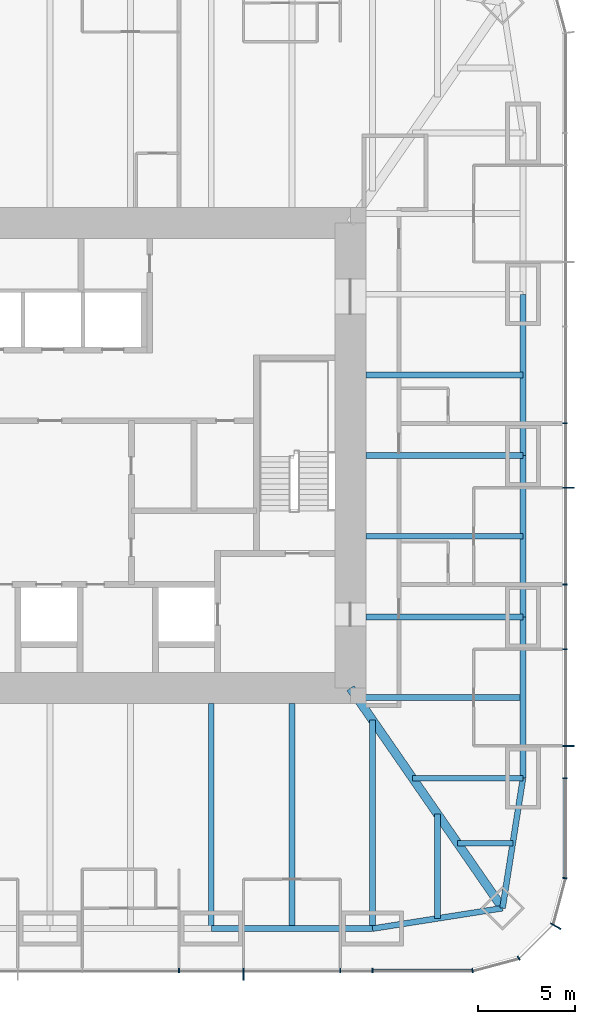
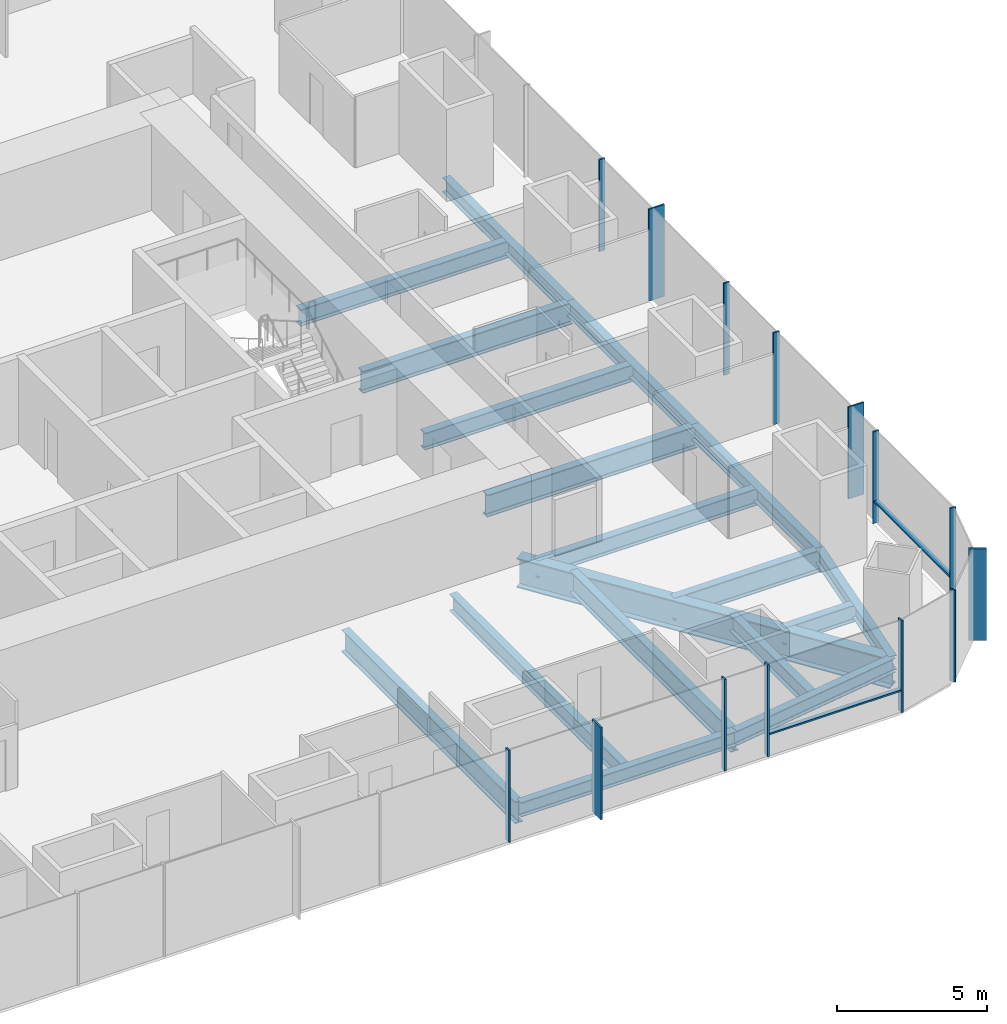
# One storey, part 4 of 12: 18 beams, 16 members, 3 elements without a shape of their own.
"""IFC4 building model written with IfcOpenShell, lengths in metres."""

from ifc_helpers import new_model, si_unit, direction, frame, origin, origin_2d, place, context, subcontext, project, spatial, rectangle, i_section, extrude, material, material_profile, profile_set, type_object, element, aggregate, save


model = new_model("IFC4")

# Units and contexts
model_context = context("Model", 3, precision=1e-05, world=origin(), true_north=direction((0.0, 1.0)))
body_context = subcontext(model_context, "Body", "Model", "MODEL_VIEW")
ifc_project = project(units=[si_unit("LENGTHUNIT", "METRE"), si_unit("AREAUNIT", "SQUARE_METRE"), si_unit("VOLUMEUNIT", "CUBIC_METRE"), si_unit("PLANEANGLEUNIT", "RADIAN"), si_unit("MASSUNIT", "GRAM", prefix="KILO")], contexts=[model_context])

# Site, building, storey
site_placement = place(None, origin())
site = spatial("IfcSite", under=ifc_project, at=site_placement, CompositionType="ELEMENT")
building_placement = place(site_placement, origin())
building = spatial("IfcBuilding", under=site, at=building_placement, Name="Khuree Lantern Residences", CompositionType="ELEMENT")
storey_placement = place(building_placement, frame((0.0, 0.0, 210.75)))
storey = spatial("IfcBuildingStorey", under=building, at=storey_placement, Name="L52", CompositionType="ELEMENT", Elevation=210.75)

# Beams
ifc_material_1 = material(Name="Steel S355", Category="steel")
ifc_material_profile_1 = material_profile(ifc_material_1, i_section(OverallWidth=0.300048828125, OverallDepth=0.68994140625, WebThickness=0.014404296875, FlangeThickness=0.027099609375, FilletRadius=0.027099609375, at=origin_2d()), Name="HE 700 A")
ifc_profile_set_1 = profile_set([ifc_material_profile_1], Name="Steel S355")
beam_type_1 = type_object("IfcBeamType", Name="B-31 SECONDARY BEAM HE 700 A", PredefinedType="BEAM", material=ifc_profile_set_1)
for number, where, z_axis, x_axis, name in (
    (1, (24.39990234375, 4.159912109375, -0.594970703125), (-1.0, 0.0, 0.0), (0.0, -1.0, 0.0), "Secondary beam E3"),
    (2, (24.39990234375, -4.159912109375, -0.594970703125), (-1.0, 0.0, 0.0), (0.0, -1.0, 0.0), "Secondary beam E4"),
):
    element("IfcBeam", number, at=place(storey_placement, frame(where, z_axis=z_axis, x_axis=x_axis)), inside=storey, type_object=beam_type_1, Name=name, PredefinedType="BEAM", context=body_context, shape_type="SweptSolid", body=[
        extrude(i_section(OverallWidth=0.300048828125, OverallDepth=0.68994140625, WebThickness=0.014404296875, FlangeThickness=0.027099609375, FilletRadius=0.027099609375, at=origin_2d()), origin(), (0.0, 0.0, 1.0), 8.099853515625),
    ])
beam_1_placement = place(storey_placement, frame((24.39990234375, -12.47998046875, -0.594970703125), z_axis=(-1.0, 0.0, 0.0), x_axis=(0.0, -1.0, 0.0)))
element("IfcBeam", 3, at=beam_1_placement, inside=storey, type_object=beam_type_1, Name="Secondary beam E5", PredefinedType="BEAM", context=body_context, shape_type="SweptSolid", body=[
    extrude(i_section(OverallWidth=0.300048828125, OverallDepth=0.68994140625, WebThickness=0.014404296875, FlangeThickness=0.027099609375, FilletRadius=0.027099609375, at=origin_2d()), origin(), (0.0, 0.0, 1.0), 8.56787109375),
])
beam_2_placement = place(storey_placement, frame((23.872802734375, -19.992919921875, -0.594970703125), z_axis=(-1.0, 0.0, 0.0), x_axis=(0.0, -1.0, 0.0)))
element("IfcBeam", 4, at=beam_2_placement, inside=storey, type_object=beam_type_1, Name="Secondary beam E6", PredefinedType="BEAM", context=body_context, shape_type="SweptSolid", body=[
    extrude(i_section(OverallWidth=0.300048828125, OverallDepth=0.68994140625, WebThickness=0.014404296875, FlangeThickness=0.027099609375, FilletRadius=0.027099609375, at=origin_2d()), origin(), (0.0, 0.0, 1.0), 2.845703125),
])
beam_3_placement = place(storey_placement, frame((19.992919921875, -23.872802734375, -0.594970703125), z_axis=(0.0, 1.0, 0.0), x_axis=(-1.0, 0.0, 0.0)))
element("IfcBeam", 5, at=beam_3_placement, inside=storey, type_object=beam_type_1, Name="Secondary beam S1", PredefinedType="BEAM", context=body_context, shape_type="SweptSolid", body=[
    extrude(i_section(OverallWidth=0.300048828125, OverallDepth=0.68994140625, WebThickness=0.014404296875, FlangeThickness=0.027099609375, FilletRadius=0.027099609375, at=origin_2d()), origin(), (0.0, 0.0, 1.0), 5.375732421875),
])
beam_4_placement = place(storey_placement, frame((12.47998046875, -24.39990234375, -0.594970703125), z_axis=(0.0, 1.0, 0.0), x_axis=(-1.0, 0.0, 0.0)))
element("IfcBeam", 6, at=beam_4_placement, inside=storey, type_object=beam_type_1, Name="Secondary beam S2", PredefinedType="BEAM", context=body_context, shape_type="SweptSolid", body=[
    extrude(i_section(OverallWidth=0.300048828125, OverallDepth=0.68994140625, WebThickness=0.014404296875, FlangeThickness=0.027099609375, FilletRadius=0.027099609375, at=origin_2d()), origin(), (0.0, 0.0, 1.0), 11.599853515625),
])
ifc_material_profile_2 = material_profile(ifc_material_1, i_section(OverallWidth=0.300048828125, OverallDepth=0.590087890625, WebThickness=0.012939453125, FlangeThickness=0.02490234375, FilletRadius=0.027099609375, at=origin_2d()), Name="HE 600 A")
ifc_profile_set_2 = profile_set([ifc_material_profile_2], Name="Steel S355")
beam_type_2 = type_object("IfcBeamType", Name="E-31 SPANDREL BEAM HE 600 A", PredefinedType="SPANDREL", material=ifc_profile_set_2)
for number, where, z_axis, x_axis, name in (
    (7, (24.39990234375, 8.320068359375, -0.544921875), (0.0, -1.0, 0.0), (1.0, 0.0, 0.0), "Spandrel beam E3"),
    (8, (24.39990234375, 0.0, -0.544921875), (0.0, -1.0, 0.0), (1.0, 0.0, 0.0), "Spandrel beam E4"),
):
    element("IfcBeam", number, at=place(storey_placement, frame(where, z_axis=z_axis, x_axis=x_axis)), inside=storey, type_object=beam_type_2, Name=name, PredefinedType="SPANDREL", context=body_context, shape_type="SweptSolid", body=[
        extrude(i_section(OverallWidth=0.300048828125, OverallDepth=0.590087890625, WebThickness=0.012939453125, FlangeThickness=0.02490234375, FilletRadius=0.027099609375, at=origin_2d()), origin(), (0.0, 0.0, 1.0), 8.320068359375),
    ])
beam_5_placement = place(storey_placement, frame((24.39990234375, -8.320068359375, -0.544921875), z_axis=(0.0, -1.0, 0.0), x_axis=(1.0, 0.0, 0.0)))
element("IfcBeam", 9, at=beam_5_placement, inside=storey, type_object=beam_type_2, Name="Spandrel beam E5", PredefinedType="SPANDREL", context=body_context, shape_type="SweptSolid", body=[
    extrude(i_section(OverallWidth=0.300048828125, OverallDepth=0.590087890625, WebThickness=0.012939453125, FlangeThickness=0.02490234375, FilletRadius=0.027099609375, at=origin_2d()), origin(), (0.0, 0.0, 1.0), 8.31982421875),
])
for number, where, z_axis, x_axis, name in (
    (10, (24.39990234375, -16.639892578125, -0.544921875), (-0.155299507442, -0.98786743189, 0.0), (0.98786743189, -0.155299507442, 0.0), "Spandrel beam E6"),
    (11, (23.345703125, -23.345703125, -0.544921875), (-0.98786743189, -0.155299507442, 0.0), (0.155299507442, -0.98786743189, 0.0), "Spandrel beam S1"),
):
    element("IfcBeam", number, at=place(storey_placement, frame(where, z_axis=z_axis, x_axis=x_axis)), inside=storey, type_object=beam_type_2, Name=name, PredefinedType="SPANDREL", context=body_context, shape_type="SweptSolid", body=[
        extrude(i_section(OverallWidth=0.300048828125, OverallDepth=0.590087890625, WebThickness=0.012939453125, FlangeThickness=0.02490234375, FilletRadius=0.027099609375, at=origin_2d()), origin(), (0.0, 0.0, 1.0), 6.7880859375),
    ])
beam_6_placement = place(storey_placement, frame((16.639892578125, -24.39990234375, -0.544921875), z_axis=(-1.0, 0.0, 0.0), x_axis=(0.0, -1.0, 0.0)))
element("IfcBeam", 12, at=beam_6_placement, inside=storey, type_object=beam_type_2, Name="Spandrel beam S2", PredefinedType="SPANDREL", context=body_context, shape_type="SweptSolid", body=[
    extrude(i_section(OverallWidth=0.300048828125, OverallDepth=0.590087890625, WebThickness=0.012939453125, FlangeThickness=0.02490234375, FilletRadius=0.027099609375, at=origin_2d()), origin(), (0.0, 0.0, 1.0), 8.31982421875),
])

# Curtain wall, member
ifc_material_2 = material(Name="Bronze anodised aluminium", Category="aluminium")
curtain_wall_type_1 = type_object("IfcCurtainWallType", Name="CW-T2 TOWER CORNER CURTAIN WALL", PredefinedType="USERDEFINED", material=ifc_material_2)
curtain_wall_1_placement = place(storey_placement, origin())
curtain_wall_1 = element("IfcCurtainWall", 13, at=curtain_wall_1_placement, inside=storey, type_object=curtain_wall_type_1, Name="L52 SOUTH-EAST CORNER CURTAIN WALL", ObjectType="Faceted corner curtain wall", PredefinedType="USERDEFINED")
ifc_material_profile_3 = material_profile(ifc_material_2, rectangle(XDim=0.06494140625, YDim=0.60009765625, at=origin_2d()), Name="F1 65X600")
ifc_profile_set_3 = profile_set([ifc_material_profile_3], Name="Bronze anodised aluminium")
member_type_1 = type_object("IfcMemberType", Name="F1 BRONZE FIN MULLION TOWER 65X600", PredefinedType="MULLION", material=ifc_profile_set_3)
member_1_placement = place(storey_placement, frame((26.0869140625, -24.27490234375, 0.0), z_axis=(0.0, 0.0, 1.0), x_axis=(0.499999989586, 0.866025409797, 0.0)))
member_1 = element("IfcMember", 14, at=member_1_placement, type_object=member_type_1, Name="L52 SOUTH-EAST CORNER FIN MULLION 3", PredefinedType="MULLION", context=body_context, shape_type="SweptSolid", body=[
    extrude(rectangle(XDim=0.06494140625, YDim=0.60009765625, at=origin_2d()), origin(), (0.0, 0.0, 1.0), 3.75),
])

# Curtain wall, members
curtain_wall_type_2 = type_object("IfcCurtainWallType", Name="CW-T1 TOWER FACE CURTAIN WALL", PredefinedType="USERDEFINED", material=ifc_material_2)
curtain_wall_2_placement = place(storey_placement, origin())
curtain_wall_2 = element("IfcCurtainWall", 15, at=curtain_wall_2_placement, inside=storey, type_object=curtain_wall_type_2, Name="L52 EAST FACE CURTAIN WALL", ObjectType="Stick-built curtain wall", PredefinedType="USERDEFINED")
member_2_placement = place(storey_placement, frame((26.75, -14.97607421875, 0.0), z_axis=(0.0, 0.0, 1.0), x_axis=(0.0, 1.0, 0.0)))
member_2 = element("IfcMember", 16, at=member_2_placement, type_object=member_type_1, Name="L52 EAST FACE FIN MULLION 6", PredefinedType="MULLION", context=body_context, shape_type="SweptSolid", body=[
    extrude(rectangle(XDim=0.06494140625, YDim=0.60009765625, at=origin_2d()), origin(), (0.0, 0.0, 1.0), 3.75),
])
member_3_placement = place(storey_placement, frame((26.75, -1.6640625, 0.0), z_axis=(0.0, 0.0, 1.0), x_axis=(0.0, 1.0, 0.0)))
member_3 = element("IfcMember", 17, at=member_3_placement, type_object=member_type_1, Name="L52 EAST FACE FIN MULLION 9", PredefinedType="MULLION", context=body_context, shape_type="SweptSolid", body=[
    extrude(rectangle(XDim=0.06494140625, YDim=0.60009765625, at=origin_2d()), origin(), (0.0, 0.0, 1.0), 3.75),
])

# Curtain wall, member
curtain_wall_3_placement = place(storey_placement, origin())
curtain_wall_3 = element("IfcCurtainWall", 18, at=curtain_wall_3_placement, inside=storey, type_object=curtain_wall_type_2, Name="L52 SOUTH FACE CURTAIN WALL", ObjectType="Stick-built curtain wall", PredefinedType="USERDEFINED")
member_4_placement = place(storey_placement, frame((9.98388671875, -26.75, 0.0), z_axis=(0.0, 0.0, 1.0), x_axis=(1.0, 0.0, 0.0)))
member_4 = element("IfcMember", 19, at=member_4_placement, type_object=member_type_1, Name="L52 SOUTH FACE FIN MULLION 54", PredefinedType="MULLION", context=body_context, shape_type="SweptSolid", body=[
    extrude(rectangle(XDim=0.06494140625, YDim=0.60009765625, at=origin_2d()), origin(), (0.0, 0.0, 1.0), 3.75),
])

# Beams
ifc_material_profile_4 = material_profile(ifc_material_1, i_section(OverallWidth=0.300048828125, OverallDepth=0.89990234375, WebThickness=0.0185546875, FlangeThickness=0.034912109375, FilletRadius=0.030029296875, at=origin_2d()), Name="HE 900 B")
ifc_profile_set_4 = profile_set([ifc_material_profile_4], Name="Steel S355")
beam_type_3 = type_object("IfcBeamType", Name="G-31A GIRDER HE 900 B", PredefinedType="BEAM", material=ifc_profile_set_4)
for number, where, z_axis, x_axis, name in (
    (20, (24.39990234375, 0.0, -0.699951171875), (-1.0, 0.0, 0.0), (0.0, -1.0, 0.0), "Girder E3"),
    (21, (24.39990234375, -8.320068359375, -0.699951171875), (-1.0, 0.0, 0.0), (0.0, -1.0, 0.0), "Girder E4"),
):
    element("IfcBeam", number, at=place(storey_placement, frame(where, z_axis=z_axis, x_axis=x_axis)), inside=storey, type_object=beam_type_3, Name=name, PredefinedType="BEAM", context=body_context, shape_type="SweptSolid", body=[
        extrude(i_section(OverallWidth=0.300048828125, OverallDepth=0.89990234375, WebThickness=0.0185546875, FlangeThickness=0.034912109375, FilletRadius=0.030029296875, at=origin_2d()), origin(), (0.0, 0.0, 1.0), 8.099853515625),
    ])
beam_7_placement = place(storey_placement, frame((24.39990234375, -16.639892578125, -0.699951171875), z_axis=(-1.0, 0.0, 0.0), x_axis=(0.0, -1.0, 0.0)))
element("IfcBeam", 22, at=beam_7_placement, inside=storey, type_object=beam_type_3, Name="Girder E5", PredefinedType="BEAM", context=body_context, shape_type="SweptSolid", body=[
    extrude(i_section(OverallWidth=0.300048828125, OverallDepth=0.89990234375, WebThickness=0.0185546875, FlangeThickness=0.034912109375, FilletRadius=0.030029296875, at=origin_2d()), origin(), (0.0, 0.0, 1.0), 5.69140625),
])
beam_8_placement = place(storey_placement, frame((16.639892578125, -24.39990234375, -0.699951171875), z_axis=(0.0, 1.0, 0.0), x_axis=(-1.0, 0.0, 0.0)))
element("IfcBeam", 23, at=beam_8_placement, inside=storey, type_object=beam_type_3, Name="Girder S1", PredefinedType="BEAM", context=body_context, shape_type="SweptSolid", body=[
    extrude(i_section(OverallWidth=0.300048828125, OverallDepth=0.89990234375, WebThickness=0.0185546875, FlangeThickness=0.034912109375, FilletRadius=0.030029296875, at=origin_2d()), origin(), (0.0, 0.0, 1.0), 10.751220703125),
])
beam_9_placement = place(storey_placement, frame((8.320068359375, -24.39990234375, -0.699951171875), z_axis=(0.0, 1.0, 0.0), x_axis=(-1.0, 0.0, 0.0)))
element("IfcBeam", 24, at=beam_9_placement, inside=storey, type_object=beam_type_3, Name="Girder S2", PredefinedType="BEAM", context=body_context, shape_type="SweptSolid", body=[
    extrude(i_section(OverallWidth=0.300048828125, OverallDepth=0.89990234375, WebThickness=0.0185546875, FlangeThickness=0.034912109375, FilletRadius=0.030029296875, at=origin_2d()), origin(), (0.0, 0.0, 1.0), 11.599853515625),
])
ifc_material_profile_5 = material_profile(ifc_material_1, i_section(OverallWidth=0.449951171875, OverallDepth=1.199951171875, WebThickness=0.02490234375, FlangeThickness=0.044921875, at=origin_2d()), Name="WELDED I 1200X450X25X45")
ifc_profile_set_5 = profile_set([ifc_material_profile_5], Name="Steel S355")
beam_type_4 = type_object("IfcBeamType", Name="GD-31 CORNER GIRDER WELDED I 1200X450X25X45", PredefinedType="BEAM", material=ifc_profile_set_5)
beam_10_placement = place(storey_placement, frame((23.345703125, -23.345703125, -0.85009765625), z_axis=(-0.56876813501, 0.822497907959, 0.0), x_axis=(-0.822497907959, -0.56876813501, 0.0)))
element("IfcBeam", 25, at=beam_10_placement, inside=storey, type_object=beam_type_4, Name="Corner girder SE", PredefinedType="BEAM", context=body_context, shape_type="SweptSolid", body=[
    extrude(i_section(OverallWidth=0.449951171875, OverallDepth=1.199951171875, WebThickness=0.02490234375, FlangeThickness=0.044921875, at=origin_2d()), origin(), (0.0, 0.0, 1.0), 13.794189453125),
])

# Member
ifc_material_profile_6 = material_profile(ifc_material_2, rectangle(XDim=0.06494140625, YDim=0.219970703125, at=origin_2d()), Name="M1 65X220")
ifc_profile_set_6 = profile_set([ifc_material_profile_6], Name="Bronze anodised aluminium")
member_type_2 = type_object("IfcMemberType", Name="M1 BRONZE MULLION TOWER 65X220", PredefinedType="MULLION", material=ifc_profile_set_6)
member_5_placement = place(storey_placement, frame((21.794921875, -26.561767578125, 0.0), z_axis=(0.0, 0.0, 1.0), x_axis=(0.991444862943, 0.130526180298, 0.0)))
member_5 = element("IfcMember", 26, at=member_5_placement, type_object=member_type_2, Name="L52 SOUTH-EAST CORNER MULLION 1", PredefinedType="MULLION", context=body_context, shape_type="SweptSolid", body=[
    extrude(rectangle(XDim=0.06494140625, YDim=0.219970703125, at=origin_2d()), origin(), (0.0, 0.0, 1.0), 3.75),
])

member_6_placement = place(storey_placement, frame((24.179931640625, -25.92236328125, 0.0), z_axis=(0.0, 0.0, 1.0), x_axis=(0.866025409797, 0.499999989586, 0.0)))
member_6 = element("IfcMember", 27, at=member_6_placement, type_object=member_type_2, Name="L52 SOUTH-EAST CORNER MULLION 2", PredefinedType="MULLION", context=body_context, shape_type="SweptSolid", body=[
    extrude(rectangle(XDim=0.06494140625, YDim=0.219970703125, at=origin_2d()), origin(), (0.0, 0.0, 1.0), 3.75),
])

aggregate(curtain_wall_1, [member_5, member_6, member_1])

member_7_placement = place(storey_placement, frame((26.561767578125, -21.794921875, 0.0), z_axis=(0.0, 0.0, 1.0), x_axis=(0.130526180298, 0.991444862943, 0.0)))
member_7 = element("IfcMember", 28, at=member_7_placement, type_object=member_type_2, Name="L52 EAST FACE MULLION 4", PredefinedType="MULLION", context=body_context, shape_type="SweptSolid", body=[
    extrude(rectangle(XDim=0.06494140625, YDim=0.219970703125, at=origin_2d()), origin(), (0.0, 0.0, 1.0), 3.75),
])

member_8_placement = place(storey_placement, frame((26.56005859375, -16.639892578125, 0.0), z_axis=(0.0, 0.0, 1.0), x_axis=(0.0, 1.0, 0.0)))
member_8 = element("IfcMember", 29, at=member_8_placement, type_object=member_type_2, Name="L52 EAST FACE MULLION 5", PredefinedType="MULLION", context=body_context, shape_type="SweptSolid", body=[
    extrude(rectangle(XDim=0.06494140625, YDim=0.219970703125, at=origin_2d()), origin(), (0.0, 0.0, 1.0), 3.75),
])

member_9_placement = place(storey_placement, frame((26.56005859375, -9.98388671875, 0.0), z_axis=(0.0, 0.0, 1.0), x_axis=(0.0, 1.0, 0.0)))
member_9 = element("IfcMember", 30, at=member_9_placement, type_object=member_type_2, Name="L52 EAST FACE MULLION 7", PredefinedType="MULLION", context=body_context, shape_type="SweptSolid", body=[
    extrude(rectangle(XDim=0.06494140625, YDim=0.219970703125, at=origin_2d()), origin(), (0.0, 0.0, 1.0), 3.75),
])

member_10_placement = place(storey_placement, frame((26.56005859375, -6.656005859375, 0.0), z_axis=(0.0, 0.0, 1.0), x_axis=(0.0, 1.0, 0.0)))
member_10 = element("IfcMember", 31, at=member_10_placement, type_object=member_type_2, Name="L52 EAST FACE MULLION 8", PredefinedType="MULLION", context=body_context, shape_type="SweptSolid", body=[
    extrude(rectangle(XDim=0.06494140625, YDim=0.219970703125, at=origin_2d()), origin(), (0.0, 0.0, 1.0), 3.75),
])

member_11_placement = place(storey_placement, frame((26.56005859375, 1.6640625, 0.0), z_axis=(0.0, 0.0, 1.0), x_axis=(0.0, 1.0, 0.0)))
member_11 = element("IfcMember", 32, at=member_11_placement, type_object=member_type_2, Name="L52 EAST FACE MULLION 10", PredefinedType="MULLION", context=body_context, shape_type="SweptSolid", body=[
    extrude(rectangle(XDim=0.06494140625, YDim=0.219970703125, at=origin_2d()), origin(), (0.0, 0.0, 1.0), 3.75),
])

member_12_placement = place(storey_placement, frame((6.656005859375, -26.56005859375, 0.0), z_axis=(0.0, 0.0, 1.0), x_axis=(1.0, 0.0, 0.0)))
member_12 = element("IfcMember", 33, at=member_12_placement, type_object=member_type_2, Name="L52 SOUTH FACE MULLION 53", PredefinedType="MULLION", context=body_context, shape_type="SweptSolid", body=[
    extrude(rectangle(XDim=0.06494140625, YDim=0.219970703125, at=origin_2d()), origin(), (0.0, 0.0, 1.0), 3.75),
])

member_13_placement = place(storey_placement, frame((14.97607421875, -26.56005859375, 0.0), z_axis=(0.0, 0.0, 1.0), x_axis=(1.0, 0.0, 0.0)))
member_13 = element("IfcMember", 34, at=member_13_placement, type_object=member_type_2, Name="L52 SOUTH FACE MULLION 55", PredefinedType="MULLION", context=body_context, shape_type="SweptSolid", body=[
    extrude(rectangle(XDim=0.06494140625, YDim=0.219970703125, at=origin_2d()), origin(), (0.0, 0.0, 1.0), 3.75),
])

member_14_placement = place(storey_placement, frame((16.639892578125, -26.56005859375, 0.0), z_axis=(0.0, 0.0, 1.0), x_axis=(1.0, 0.0, 0.0)))
member_14 = element("IfcMember", 35, at=member_14_placement, type_object=member_type_2, Name="L52 SOUTH FACE MULLION 56", PredefinedType="MULLION", context=body_context, shape_type="SweptSolid", body=[
    extrude(rectangle(XDim=0.06494140625, YDim=0.219970703125, at=origin_2d()), origin(), (0.0, 0.0, 1.0), 3.75),
])

ifc_material_profile_7 = material_profile(ifc_material_2, rectangle(XDim=0.179931640625, YDim=0.06494140625, at=origin_2d()), Name="T1 180X65")
ifc_profile_set_7 = profile_set([ifc_material_profile_7], Name="Bronze anodised aluminium")
member_type_3 = type_object("IfcMemberType", Name="TRANSOM T1 TOWER 180X65", PredefinedType="USERDEFINED", material=ifc_profile_set_7)
member_15_placement = place(storey_placement, frame((26.570068359375, -21.75146484375, 0.89990234375), z_axis=(0.0, 1.0, 0.0), x_axis=(-1.0, 0.0, 0.0)))
member_15 = element("IfcMember", 36, at=member_15_placement, type_object=member_type_3, Name="L52 EAST FACE TRANSOM 4.1", ObjectType="Transom", PredefinedType="USERDEFINED", context=body_context, shape_type="SweptSolid", body=[
    extrude(rectangle(XDim=0.179931640625, YDim=0.06494140625, at=origin_2d()), origin(), (0.0, 0.0, 1.0), 5.078857421875),
])

aggregate(curtain_wall_2, [member_7, member_8, member_2, member_9, member_10, member_3, member_11, member_15])

member_16_placement = place(storey_placement, frame((16.672607421875, -26.570068359375, 0.89990234375), z_axis=(1.0, 0.0, 0.0), x_axis=(0.0, 1.0, 0.0)))
member_16 = element("IfcMember", 37, at=member_16_placement, type_object=member_type_3, Name="L52 SOUTH FACE TRANSOM 56.1", ObjectType="Transom", PredefinedType="USERDEFINED", context=body_context, shape_type="SweptSolid", body=[
    extrude(rectangle(XDim=0.179931640625, YDim=0.06494140625, at=origin_2d()), origin(), (0.0, 0.0, 1.0), 5.078857421875),
])

aggregate(curtain_wall_3, [member_12, member_4, member_13, member_14, member_16])

save(model, "model.ifc")
